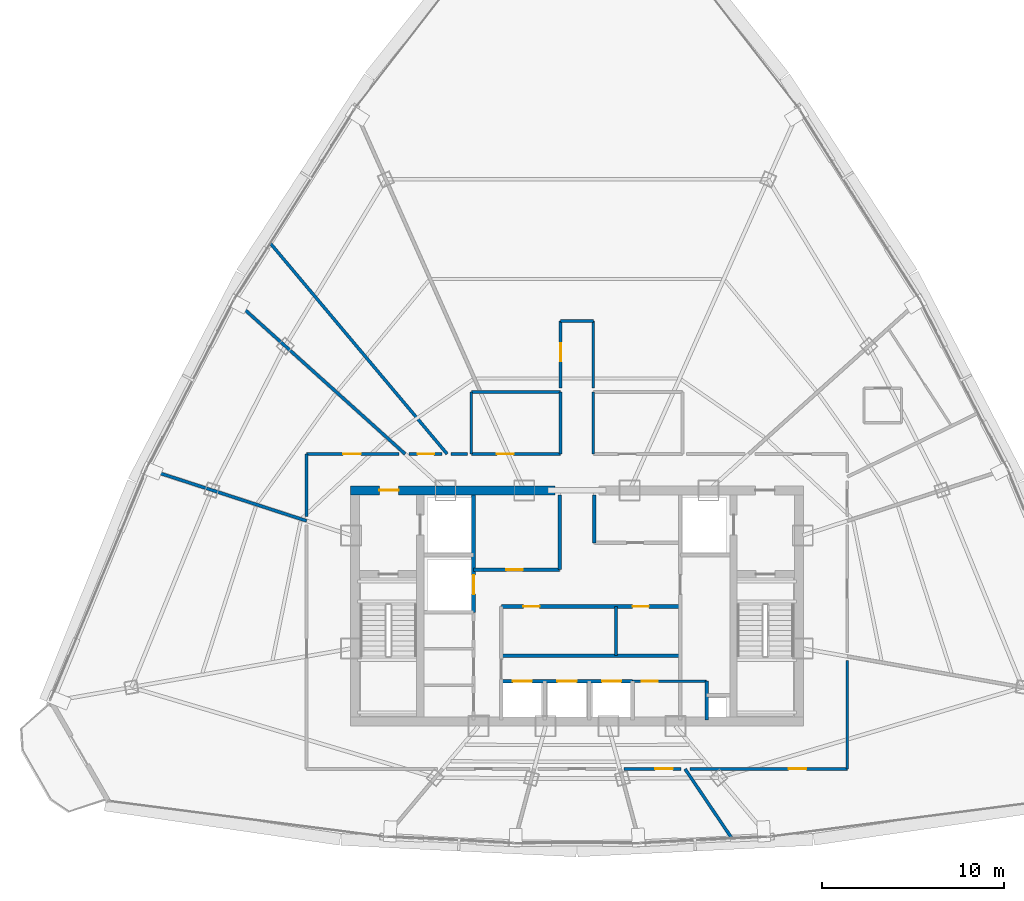
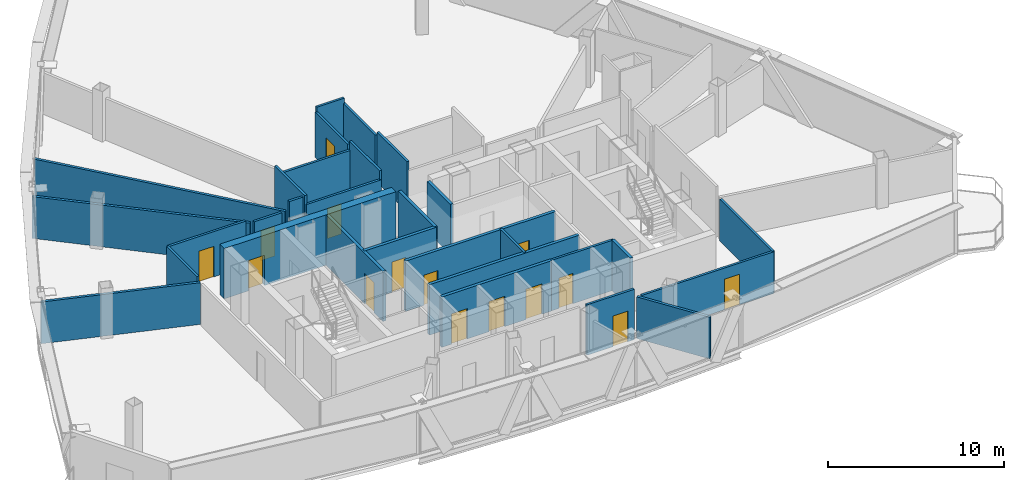
# One storey, part 29 of 34: 30 walls, 15 doors, 15 openings.
"""IFC4 building model written with IfcOpenShell, lengths in metres."""

from ifc_helpers import new_model, si_unit, direction, frame, frame_2d, origin, origin_with_axes, place, context, subcontext, project, spatial, rectangle, extrude, source, transform, mapped, material, layer, layer_set, type_object, element, fill, save


model = new_model("IFC4")

# Units and contexts
model_context = context("Model", 3, precision=1e-05, world=origin(), true_north=direction((0.0, 1.0)))
body_context = subcontext(model_context, "Body", "Model", "MODEL_VIEW")
ifc_project = project(units=[si_unit("LENGTHUNIT", "METRE"), si_unit("AREAUNIT", "SQUARE_METRE"), si_unit("VOLUMEUNIT", "CUBIC_METRE"), si_unit("PLANEANGLEUNIT", "RADIAN"), si_unit("MASSUNIT", "GRAM", prefix="KILO"), si_unit("THERMODYNAMICTEMPERATUREUNIT", "KELVIN"), si_unit("POWERUNIT", "WATT")], contexts=[model_context])

# Site, building, storey
site_placement = place(None, origin())
site = spatial("IfcSite", under=ifc_project, at=site_placement, CompositionType="ELEMENT")
building_placement = place(site_placement, origin())
building = spatial("IfcBuilding", under=site, at=building_placement, Name="Yunzhuo Pagoda Commons", CompositionType="ELEMENT")
storey_placement = place(building_placement, frame((0.0, 0.0, 333.010009765625)))
storey = spatial("IfcBuildingStorey", under=building, at=storey_placement, Name="L83", CompositionType="ELEMENT", Elevation=333.010009765625)

# Wall, opening, door
ifc_material_1 = material(Name="Concrete C50", Category="concrete")
ifc_layer_1 = layer(ifc_material_1, 0.5)
ifc_layer_set_1 = layer_set([ifc_layer_1], Name="Concrete C50")
wall_type_1 = type_object("IfcWallType", Name="W-C03 Upper Core Shear Wall 500", PredefinedType="SHEAR", material=ifc_layer_set_1)
wall_1_placement = place(storey_placement, frame((35.550048828125, 40.199951171875, 0.0), z_axis=(0.0, 0.0, 1.0), x_axis=(1.0, 0.0, 0.0)))
wall_1 = element("IfcWall", 1, at=wall_1_placement, inside=storey, type_object=wall_type_1, Name="L83 core shear wall NW", PredefinedType="SHEAR", context=body_context, shape_type="SweptSolid", body=[
    extrude(rectangle(XDim=11.25, YDim=0.5, at=frame_2d((5.625, 0.0))), origin(), (0.0, 0.0, 1.0), 3.489990234375),
])
opening_1_placement = place(wall_1_placement, frame((1.60009765625, 0.0, 0.0)))
opening_1 = element("IfcOpeningElement", 2, at=opening_1_placement, cuts=wall_1, Name="Opening D-02", PredefinedType="OPENING", context=body_context, shape_type="SweptSolid", body=[
    extrude(rectangle(XDim=1.050048828125, YDim=2.10009765625, at=frame_2d((0.52490234375, 1.050048828125))), frame((0.0, 0.260009765625, 0.0), z_axis=(0.0, -1.0, 0.0), x_axis=(1.0, 0.0, 0.0)), (0.0, 0.0, 1.0), 0.52001953125),
])
ifc_material_2 = material(Name="Galvanized fire-resisting metal leaf")
door_type_1 = type_object("IfcDoorType", Name="D-02 Firefighting Lobby & Refuge Fire Door 1050x2100", OperationType="NOTDEFINED", PredefinedType="DOOR", material=ifc_material_2)
shared_shape_1 = source(origin(), body_context, "Body", "SweptSolid", [
    extrude(rectangle(XDim=1.050048828125, YDim=2.10009765625, at=frame_2d((0.52490234375, 1.050048828125))), frame((0.0, 0.02490234375, 0.0), z_axis=(0.0, -1.0, 0.0), x_axis=(1.0, 0.0, 0.0)), (0.0, 0.0, 1.0), 0.050048828125),
])
door_1_placement = place(opening_1_placement, frame((1.050048828125, 0.0, 0.0), z_axis=(0.0, 0.0, 1.0), x_axis=(-1.0, 0.0, 0.0)))
door_1 = element("IfcDoor", 3, at=door_1_placement, inside=storey, type_object=door_type_1, Name="L83 Firefighting Lobby 1 fire door", OperationType="SINGLE_SWING_LEFT", OverallHeight=2.10009765625, OverallWidth=1.050048828125, PredefinedType="DOOR", context=body_context, shape_type="MappedRepresentation", body=[
    mapped(shared_shape_1, transform((0.0, 0.0, 0.0), scale=1.0)),
])
fill(opening_1, door_1)

# Wall
ifc_material_3 = material(Name="Gypsum plasterboard on acoustic stud")
ifc_layer_2 = layer(ifc_material_3, 0.14990234375)
ifc_layer_set_2 = layer_set([ifc_layer_2], Name="Gypsum plasterboard on acoustic stud")
wall_type_2 = type_object("IfcWallType", Name="W-COR3 High-Zone Rated Corridor Wall 150", PredefinedType="PARTITIONING", material=ifc_layer_set_2)
wall_2_placement = place(storey_placement, frame((50.14990234375, 31.1201171875, 0.0), z_axis=(0.0, 0.0, 1.0), x_axis=(0.0, 1.0, 0.0)))
element("IfcWall", 4, at=wall_2_placement, inside=storey, type_object=wall_type_2, Name="L83 interior wall IW-L83-FRMD", PredefinedType="PARTITIONING", context=body_context, shape_type="SweptSolid", body=[
    extrude(rectangle(XDim=2.699951171875, YDim=0.14990234375, at=frame_2d((1.35009765625, 0.0))), origin(), (0.0, 0.0, 1.0), 3.489990234375),
])

# Wall, opening, door
wall_3_placement = place(storey_placement, frame((51.050048828125, 29.719970703125, 0.0), z_axis=(0.0, 0.0, 1.0), x_axis=(1.0, 0.0, 0.0)))
wall_3 = element("IfcWall", 5, at=wall_3_placement, inside=storey, type_object=wall_type_2, Name="L83 interior wall IW-L83-CSES", PredefinedType="PARTITIONING", context=body_context, shape_type="SweptSolid", body=[
    extrude(rectangle(XDim=4.070068359375, YDim=0.14990234375, at=frame_2d((2.03515625, 0.0))), origin(), (0.0, 0.0, 1.0), 3.489990234375),
])
opening_2_placement = place(wall_3_placement, frame((0.5, 0.0, 0.0)))
opening_2 = element("IfcOpeningElement", 6, at=opening_2_placement, cuts=wall_3, Name="Opening D-03", PredefinedType="OPENING", context=body_context, shape_type="SweptSolid", body=[
    extrude(rectangle(XDim=0.89990234375, YDim=2.10009765625, at=frame_2d((0.449951171875, 1.050048828125))), frame((0.0, 0.0849609375, 0.0), z_axis=(0.0, -1.0, 0.0), x_axis=(1.0, 0.0, 0.0)), (0.0, 0.0, 1.0), 0.169921875),
])
door_type_2 = type_object("IfcDoorType", Name="D-03 Core Service Fire Door 900x2100", OperationType="NOTDEFINED", PredefinedType="DOOR", material=ifc_material_2)
shared_shape_2 = source(origin(), body_context, "Body", "SweptSolid", [
    extrude(rectangle(XDim=0.89990234375, YDim=2.10009765625, at=frame_2d((0.449951171875, 1.050048828125))), frame((0.0, 0.02490234375, 0.0), z_axis=(0.0, -1.0, 0.0), x_axis=(1.0, 0.0, 0.0)), (0.0, 0.0, 1.0), 0.050048828125),
])
door_2_placement = place(opening_2_placement, origin_with_axes())
door_2 = element("IfcDoor", 7, at=door_2_placement, inside=storey, type_object=door_type_2, Name="L83 core pantry door", OperationType="SINGLE_SWING_RIGHT", OverallHeight=2.10009765625, OverallWidth=0.89990234375, PredefinedType="DOOR", context=body_context, shape_type="MappedRepresentation", body=[
    mapped(shared_shape_2, transform((0.0, 0.0, 0.0), scale=1.0)),
])
fill(opening_2, door_2)

wall_4_placement = place(storey_placement, frame((42.199951171875, 42.199951171875, 0.0), z_axis=(0.0, 0.0, 1.0), x_axis=(1.0, 0.0, 0.0)))
wall_4 = element("IfcWall", 8, at=wall_4_placement, inside=storey, type_object=wall_type_2, Name="L83 interior wall IW-L83-TFWS", PredefinedType="PARTITIONING", context=body_context, shape_type="SweptSolid", body=[
    extrude(rectangle(XDim=4.900146484375, YDim=0.14990234375, at=frame_2d((2.4501953125, 0.0))), origin(), (0.0, 0.0, 1.0), 2.889892578125),
])
opening_3_placement = place(wall_4_placement, frame((1.39990234375, 0.0, 0.0)))
opening_3 = element("IfcOpeningElement", 9, at=opening_3_placement, cuts=wall_4, Name="Opening D-04", PredefinedType="OPENING", context=body_context, shape_type="SweptSolid", body=[
    extrude(rectangle(XDim=0.919921875, YDim=2.10009765625, at=frame_2d((0.4599609375, 1.050048828125))), frame((0.0, 0.0849609375, 0.0), z_axis=(0.0, -1.0, 0.0), x_axis=(1.0, 0.0, 0.0)), (0.0, 0.0, 1.0), 0.169921875),
])
ifc_material_4 = material(Name="Powder-coated aluminium and timber acoustic leaf", Category="wood")
door_type_3 = type_object("IfcDoorType", Name="D-04 Bedroom & Study Interior Door 920x2100", OperationType="NOTDEFINED", PredefinedType="DOOR", material=ifc_material_4)
shared_shape_3 = source(origin(), body_context, "Body", "SweptSolid", [
    extrude(rectangle(XDim=0.919921875, YDim=2.10009765625, at=frame_2d((0.4599609375, 1.050048828125))), frame((0.0, 0.02490234375, 0.0), z_axis=(0.0, -1.0, 0.0), x_axis=(1.0, 0.0, 0.0)), (0.0, 0.0, 1.0), 0.050048828125),
])
door_3_placement = place(opening_3_placement, frame((0.919921875, 0.0, 0.0), z_axis=(0.0, 0.0, 1.0), x_axis=(-1.0, 0.0, 0.0)))
door_3 = element("IfcDoor", 10, at=door_3_placement, inside=storey, type_object=door_type_3, Name="L83 laundry door", OperationType="SINGLE_SWING_LEFT", OverallHeight=2.10009765625, OverallWidth=0.919921875, PredefinedType="DOOR", context=body_context, shape_type="MappedRepresentation", body=[
    mapped(shared_shape_3, transform((0.0, 0.0, 0.0), scale=1.0)),
])
fill(opening_3, door_3)

# Walls
wall_5_placement = place(storey_placement, frame((42.199951171875, 45.60009765625, 0.0), z_axis=(0.0, 0.0, 1.0), x_axis=(1.0, 0.0, 0.0)))
element("IfcWall", 11, at=wall_5_placement, inside=storey, type_object=wall_type_2, Name="L83 interior wall IW-L83-TFWN", PredefinedType="PARTITIONING", context=body_context, shape_type="SweptSolid", body=[
    extrude(rectangle(XDim=4.900146484375, YDim=0.14990234375, at=frame_2d((2.4501953125, 0.0))), origin(), (0.0, 0.0, 1.0), 2.889892578125),
])
for number, where, z_axis, x_axis, name in (
    (12, (42.199951171875, 42.199951171875, 0.0), (0.0, 0.0, 1.0), (0.0, 1.0, 0.0), "L83 interior wall IW-L83-TFWW"),
    (13, (47.10009765625, 42.199951171875, 0.0), (0.0, 0.0, 1.0), (0.0, 1.0, 0.0), "L83 interior wall IW-L83-TFWE"),
    (14, (48.89990234375, 42.199951171875, 0.0), (0.0, 0.0, 1.0), (0.0, 1.0, 0.0), "L83 interior wall IW-L83-TFEW"),
):
    element("IfcWall", number, at=place(storey_placement, frame(where, z_axis=z_axis, x_axis=x_axis)), inside=storey, type_object=wall_type_2, Name=name, PredefinedType="PARTITIONING", context=body_context, shape_type="SweptSolid", body=[
        extrude(rectangle(XDim=3.400146484375, YDim=0.14990234375, at=frame_2d((1.7001953125, 0.0))), origin(), (0.0, 0.0, 1.0), 3.489990234375),
    ])
wall_6_placement = place(storey_placement, frame((33.14990234375, 38.75634765625, 0.0), z_axis=(0.0, 0.0, 1.0), x_axis=(0.0, 1.0, 0.0)))
element("IfcWall", 15, at=wall_6_placement, inside=storey, type_object=wall_type_2, Name="L83 interior wall IW-L83-CWL02", PredefinedType="PARTITIONING", context=body_context, shape_type="SweptSolid", body=[
    extrude(rectangle(XDim=3.443603515625, YDim=0.14990234375, at=frame_2d((1.7216796875, 0.0))), origin(), (0.0, 0.0, 1.0), 3.139892578125),
])

# Wall, opening, door
wall_7_placement = place(storey_placement, frame((33.14990234375, 42.199951171875, 0.0), z_axis=(0.0, 0.0, 1.0), x_axis=(1.0, 0.0, 0.0)))
wall_7 = element("IfcWall", 16, at=wall_7_placement, inside=storey, type_object=wall_type_2, Name="L83 interior wall IW-L83-CWL03", PredefinedType="PARTITIONING", context=body_context, shape_type="SweptSolid", body=[
    extrude(rectangle(XDim=5.0810546875, YDim=0.14990234375, at=frame_2d((2.54052734375, 0.0))), origin(), (0.0, 0.0, 1.0), 3.139892578125),
])
opening_4_placement = place(wall_7_placement, frame((2.0, 0.0, 0.0)))
opening_4 = element("IfcOpeningElement", 17, at=opening_4_placement, cuts=wall_7, Name="Opening D-08", PredefinedType="OPENING", context=body_context, shape_type="SweptSolid", body=[
    extrude(rectangle(XDim=0.97998046875, YDim=2.1201171875, at=frame_2d((0.489990234375, 1.06005859375))), frame((0.0, 0.0849609375, 0.0), z_axis=(0.0, -1.0, 0.0), x_axis=(1.0, 0.0, 0.0)), (0.0, 0.0, 1.0), 0.169921875),
])
door_type_4 = type_object("IfcDoorType", Name="D-08 High-Zone Suite Entrance Fire Door 980x2120", OperationType="NOTDEFINED", PredefinedType="DOOR", material=ifc_material_2)
shared_shape_4 = source(origin(), body_context, "Body", "SweptSolid", [
    extrude(rectangle(XDim=0.97998046875, YDim=2.1201171875, at=frame_2d((0.489990234375, 1.06005859375))), frame((0.0, 0.02490234375, 0.0), z_axis=(0.0, -1.0, 0.0), x_axis=(1.0, 0.0, 0.0)), (0.0, 0.0, 1.0), 0.050048828125),
])
door_4_placement = place(opening_4_placement, origin_with_axes())
door_4 = element("IfcDoor", 18, at=door_4_placement, inside=storey, type_object=door_type_4, Name="L83 unit 07 entrance door", OperationType="SINGLE_SWING_LEFT", OverallHeight=2.1201171875, OverallWidth=0.97998046875, PredefinedType="DOOR", context=body_context, shape_type="MappedRepresentation", body=[
    mapped(shared_shape_4, transform((0.0, 0.0, 0.0), scale=1.0)),
])
fill(opening_4, door_4)

wall_8_placement = place(storey_placement, frame((38.779541015625, 42.199951171875, 0.0), z_axis=(0.0, 0.0, 1.0), x_axis=(1.0, 0.0, 0.0)))
wall_8 = element("IfcWall", 19, at=wall_8_placement, inside=storey, type_object=wall_type_2, Name="L83 interior wall IW-L83-CWL04", PredefinedType="PARTITIONING", context=body_context, shape_type="SweptSolid", body=[
    extrude(rectangle(XDim=1.801025390625, YDim=0.14990234375, at=frame_2d((0.900390625, 0.0))), origin(), (0.0, 0.0, 1.0), 2.889892578125),
])
opening_5_placement = place(wall_8_placement, frame((0.474365234375, 0.0, 0.0)))
opening_5 = element("IfcOpeningElement", 20, at=opening_5_placement, cuts=wall_8, Name="Opening D-12", PredefinedType="OPENING", context=body_context, shape_type="SweptSolid", body=[
    extrude(rectangle(XDim=0.89990234375, YDim=2.080078125, at=frame_2d((0.449951171875, 1.0400390625))), frame((0.0, 0.0849609375, 0.0), z_axis=(0.0, -1.0, 0.0), x_axis=(1.0, 0.0, 0.0)), (0.0, 0.0, 1.0), 0.169921875),
])
door_type_5 = type_object("IfcDoorType", Name="D-12 Quiet Study Interior Door 900x2080", OperationType="NOTDEFINED", PredefinedType="DOOR", material=ifc_material_4)
shared_shape_5 = source(origin(), body_context, "Body", "SweptSolid", [
    extrude(rectangle(XDim=0.89990234375, YDim=2.080078125, at=frame_2d((0.449951171875, 1.0400390625))), frame((0.0, 0.02490234375, 0.0), z_axis=(0.0, -1.0, 0.0), x_axis=(1.0, 0.0, 0.0)), (0.0, 0.0, 1.0), 0.050048828125),
])
door_5_placement = place(opening_5_placement, origin_with_axes())
door_5 = element("IfcDoor", 21, at=door_5_placement, inside=storey, type_object=door_type_5, Name="L83 study lounge 06 door", OperationType="SINGLE_SWING_RIGHT", OverallHeight=2.080078125, OverallWidth=0.89990234375, PredefinedType="DOOR", context=body_context, shape_type="MappedRepresentation", body=[
    mapped(shared_shape_5, transform((0.0, 0.0, 0.0), scale=1.0)),
])
fill(opening_5, door_5)

# Wall
wall_9_placement = place(storey_placement, frame((41.087646484375, 42.199951171875, 0.0), z_axis=(0.0, 0.0, 1.0), x_axis=(1.0, 0.0, 0.0)))
element("IfcWall", 22, at=wall_9_placement, inside=storey, type_object=wall_type_2, Name="L83 interior wall IW-L83-CWL05", PredefinedType="PARTITIONING", context=body_context, shape_type="SweptSolid", body=[
    extrude(rectangle(XDim=0.892333984375, YDim=0.14990234375, at=frame_2d((0.4462890625, 0.0))), origin(), (0.0, 0.0, 1.0), 3.489990234375),
])

# Wall, opening, door
wall_10_placement = place(storey_placement, frame((47.10009765625, 45.820068359375, 0.0), z_axis=(0.0, 0.0, 1.0), x_axis=(0.0, 1.0, 0.0)))
wall_10 = element("IfcWall", 23, at=wall_10_placement, inside=storey, type_object=wall_type_2, Name="L83 interior wall IW-L83-CWL06", PredefinedType="PARTITIONING", context=body_context, shape_type="SweptSolid", body=[
    extrude(rectangle(XDim=3.679931640625, YDim=0.14990234375, at=frame_2d((1.83984375, 0.0))), origin(), (0.0, 0.0, 1.0), 3.139892578125),
])
opening_6_placement = place(wall_10_placement, frame((1.485107421875, 0.0, 0.0)))
opening_6 = element("IfcOpeningElement", 24, at=opening_6_placement, cuts=wall_10, Name="Opening D-08", PredefinedType="OPENING", context=body_context, shape_type="SweptSolid", body=[
    extrude(rectangle(XDim=0.97998046875, YDim=2.1201171875, at=frame_2d((0.489990234375, 1.06005859375))), frame((0.0, 0.0849609375, 0.0), z_axis=(0.0, -1.0, 0.0), x_axis=(1.0, 0.0, 0.0)), (0.0, 0.0, 1.0), 0.169921875),
])
door_6_placement = place(opening_6_placement, origin_with_axes())
door_6 = element("IfcDoor", 25, at=door_6_placement, inside=storey, type_object=door_type_4, Name="L83 Shared Resident Kitchen and Pantry door", OperationType="SINGLE_SWING_RIGHT", OverallHeight=2.1201171875, OverallWidth=0.97998046875, PredefinedType="DOOR", context=body_context, shape_type="MappedRepresentation", body=[
    mapped(shared_shape_4, transform((0.0, 0.0, 0.0), scale=1.0)),
])
fill(opening_6, door_6)

# Walls
wall_11_placement = place(storey_placement, frame((47.10009765625, 49.5, 0.0), z_axis=(0.0, 0.0, 1.0), x_axis=(1.0, 0.0, 0.0)))
element("IfcWall", 26, at=wall_11_placement, inside=storey, type_object=wall_type_2, Name="L83 interior wall IW-L83-CWL07", PredefinedType="PARTITIONING", context=body_context, shape_type="SweptSolid", body=[
    extrude(rectangle(XDim=1.7998046875, YDim=0.14990234375, at=frame_2d((0.89990234375, 0.0))), origin(), (0.0, 0.0, 1.0), 3.489990234375),
])
wall_12_placement = place(storey_placement, frame((48.89990234375, 49.5, 0.0), z_axis=(0.0, 0.0, 1.0), x_axis=(0.0, -1.0, 0.0)))
element("IfcWall", 27, at=wall_12_placement, inside=storey, type_object=wall_type_2, Name="L83 interior wall IW-L83-CWL08", PredefinedType="PARTITIONING", context=body_context, shape_type="SweptSolid", body=[
    extrude(rectangle(XDim=3.679931640625, YDim=0.14990234375, at=frame_2d((1.83984375, 0.0))), origin(), (0.0, 0.0, 1.0), 3.139892578125),
])
wall_13_placement = place(storey_placement, frame((62.85009765625, 30.858154296875, 0.0), z_axis=(0.0, 0.0, 1.0), x_axis=(0.0, -1.0, 0.0)))
element("IfcWall", 28, at=wall_13_placement, inside=storey, type_object=wall_type_2, Name="L83 interior wall IW-L83-CWL14", PredefinedType="PARTITIONING", context=body_context, shape_type="SweptSolid", body=[
    extrude(rectangle(XDim=5.958251953125, YDim=0.14990234375, at=frame_2d((2.97900390625, 0.0))), origin(), (0.0, 0.0, 1.0), 2.889892578125),
])

# Wall, opening, door
wall_14_placement = place(storey_placement, frame((62.85009765625, 24.89990234375, 0.0), z_axis=(0.0, 0.0, 1.0), x_axis=(-1.0, 0.0, 0.0)))
wall_14 = element("IfcWall", 29, at=wall_14_placement, inside=storey, type_object=wall_type_2, Name="L83 interior wall IW-L83-CWL15", PredefinedType="PARTITIONING", context=body_context, shape_type="SweptSolid", body=[
    extrude(rectangle(XDim=8.64892578125, YDim=0.14990234375, at=frame_2d((4.324462890625, 0.0))), origin(), (0.0, 0.0, 1.0), 2.889892578125),
])
opening_7_placement = place(wall_14_placement, frame((2.250244140625, 0.0, 0.0)))
opening_7 = element("IfcOpeningElement", 30, at=opening_7_placement, cuts=wall_14, Name="Opening D-08", PredefinedType="OPENING", context=body_context, shape_type="SweptSolid", body=[
    extrude(rectangle(XDim=0.97998046875, YDim=2.1201171875, at=frame_2d((0.489990234375, 1.06005859375))), frame((0.0, 0.0849609375, 0.0), z_axis=(0.0, -1.0, 0.0), x_axis=(1.0, 0.0, 0.0)), (0.0, 0.0, 1.0), 0.169921875),
])
door_7_placement = place(opening_7_placement, origin_with_axes())
door_7 = element("IfcDoor", 31, at=door_7_placement, inside=storey, type_object=door_type_4, Name="L83 Academic Reading Commons 2 door", OperationType="SINGLE_SWING_RIGHT", OverallHeight=2.1201171875, OverallWidth=0.97998046875, PredefinedType="DOOR", context=body_context, shape_type="MappedRepresentation", body=[
    mapped(shared_shape_4, transform((0.0, 0.0, 0.0), scale=1.0)),
])
fill(opening_7, door_7)

wall_15_placement = place(storey_placement, frame((53.7158203125, 24.89990234375, 0.0), z_axis=(0.0, 0.0, 1.0), x_axis=(-1.0, 0.0, 0.0)))
wall_15 = element("IfcWall", 32, at=wall_15_placement, inside=storey, type_object=wall_type_2, Name="L83 interior wall IW-L83-CWL16", PredefinedType="PARTITIONING", context=body_context, shape_type="SweptSolid", body=[
    extrude(rectangle(XDim=3.130126953125, YDim=0.14990234375, at=frame_2d((1.56494140625, 0.0))), origin(), (0.0, 0.0, 1.0), 3.489990234375),
])
opening_8_placement = place(wall_15_placement, frame((0.449462890625, 0.0, 0.0)))
opening_8 = element("IfcOpeningElement", 33, at=opening_8_placement, cuts=wall_15, Name="Opening D-08", PredefinedType="OPENING", context=body_context, shape_type="SweptSolid", body=[
    extrude(rectangle(XDim=0.97998046875, YDim=2.1201171875, at=frame_2d((0.489990234375, 1.06005859375))), frame((0.0, 0.0849609375, 0.0), z_axis=(0.0, -1.0, 0.0), x_axis=(1.0, 0.0, 0.0)), (0.0, 0.0, 1.0), 0.169921875),
])
door_8_placement = place(opening_8_placement, origin_with_axes())
door_8 = element("IfcDoor", 34, at=door_8_placement, inside=storey, type_object=door_type_4, Name="L83 unit 11 entrance door", OperationType="SINGLE_SWING_LEFT", OverallHeight=2.1201171875, OverallWidth=0.97998046875, PredefinedType="DOOR", context=body_context, shape_type="MappedRepresentation", body=[
    mapped(shared_shape_4, transform((0.0, 0.0, 0.0), scale=1.0)),
])
fill(opening_8, door_8)

# Walls
ifc_layer_3 = layer(ifc_material_3, 0.169921875)
ifc_layer_set_3 = layer_set([ifc_layer_3], Name="Gypsum plasterboard on acoustic stud")
wall_type_3 = type_object("IfcWallType", Name="W-PRT4 High-Zone Demising Wall 170", PredefinedType="PARTITIONING", material=ifc_layer_set_3)
wall_16_placement = place(storey_placement, frame((40.86767578125, 42.199951171875, 0.0), z_axis=(0.0, 0.0, 1.0), x_axis=(-0.642782037032, 0.766049119096, 0.0)))
element("IfcWall", 35, at=wall_16_placement, inside=storey, type_object=wall_type_3, Name="L83 interior wall IW-L83-RAD05", PredefinedType="PARTITIONING", context=body_context, shape_type="SweptSolid", body=[
    extrude(rectangle(XDim=15.1396484375, YDim=0.169921875, at=frame_2d((7.56982421875, 0.0))), origin(), (0.0, 0.0, 1.0), 2.889892578125),
])
wall_17_placement = place(storey_placement, frame((38.559814453125, 42.199951171875, 0.0), z_axis=(0.0, 0.0, 1.0), x_axis=(-0.743143506998, 0.669132070675, 0.0)))
element("IfcWall", 36, at=wall_17_placement, inside=storey, type_object=wall_type_3, Name="L83 interior wall IW-L83-RAD06", PredefinedType="PARTITIONING", context=body_context, shape_type="SweptSolid", body=[
    extrude(rectangle(XDim=12.65380859375, YDim=0.169921875, at=frame_2d((6.326904296875, 0.0))), origin(), (0.0, 0.0, 1.0), 2.889892578125),
])
wall_18_placement = place(storey_placement, frame((33.14990234375, 38.525146484375, 0.0), z_axis=(0.0, 0.0, 1.0), x_axis=(-0.951054035025, 0.309024630836, 0.0)))
element("IfcWall", 37, at=wall_18_placement, inside=storey, type_object=wall_type_3, Name="L83 interior wall IW-L83-RAD07", PredefinedType="PARTITIONING", context=body_context, shape_type="SweptSolid", body=[
    extrude(rectangle(XDim=9.25439453125, YDim=0.169921875, at=frame_2d((4.627197265625, 0.0))), origin(), (0.0, 0.0, 1.0), 2.889892578125),
])
wall_19_placement = place(storey_placement, frame((53.935791015625, 24.89990234375, 0.0), z_axis=(0.0, 0.0, 1.0), x_axis=(0.559204176839, -0.829029968461, 0.0)))
element("IfcWall", 38, at=wall_19_placement, inside=storey, type_object=wall_type_3, Name="L83 interior wall IW-L83-RAD11", PredefinedType="PARTITIONING", context=body_context, shape_type="SweptSolid", body=[
    extrude(rectangle(XDim=4.619873046875, YDim=0.169921875, at=frame_2d((2.31005859375, 0.0))), origin(), (0.0, 0.0, 1.0), 2.889892578125),
])

# Wall, opening, door
ifc_material_5 = material(Name="Concrete C40", Category="concrete")
ifc_layer_4 = layer(ifc_material_5, 0.199951171875)
ifc_layer_set_4 = layer_set([ifc_layer_4], Name="Concrete C40")
wall_type_4 = type_object("IfcWallType", Name="W-SHF Shaft & Stair Enclosure Wall 200", PredefinedType="SOLIDWALL", material=ifc_layer_set_4)
wall_20_placement = place(storey_placement, frame((42.320068359375, 33.5, 0.0), z_axis=(0.0, 0.0, 1.0), x_axis=(0.0, 1.0, 0.0)))
wall_20 = element("IfcWall", 39, at=wall_20_placement, inside=storey, type_object=wall_type_4, Name="L83 interior wall IW-L83-FL1E", PredefinedType="SOLIDWALL", context=body_context, shape_type="SweptSolid", body=[
    extrude(rectangle(XDim=6.449951171875, YDim=0.199951171875, at=frame_2d((3.22509765625, 0.0))), origin(), (0.0, 0.0, 1.0), 3.489990234375),
])
opening_9_placement = place(wall_20_placement, frame((1.0, 0.0, 0.0)))
opening_9 = element("IfcOpeningElement", 40, at=opening_9_placement, cuts=wall_20, Name="Opening LD-02", PredefinedType="OPENING", context=body_context, shape_type="SweptSolid", body=[
    extrude(rectangle(XDim=1.050048828125, YDim=2.10009765625, at=frame_2d((0.52490234375, 1.050048828125))), frame((0.0, 0.10986328125, 0.0), z_axis=(0.0, -1.0, 0.0), x_axis=(1.0, 0.0, 0.0)), (0.0, 0.0, 1.0), 0.219970703125),
])
door_type_6 = type_object("IfcDoorType", Name="LD-02 Passenger Lift Landing Door 1050x2100", OperationType="DOUBLE_DOOR_SLIDING", PredefinedType="DOOR", material=ifc_material_2)
door_9_placement = place(opening_9_placement, origin_with_axes())
door_9 = element("IfcDoor", 41, at=door_9_placement, inside=storey, type_object=door_type_6, Name="L83 Service lift SL-1 landing door", OperationType="DOUBLE_DOOR_SLIDING", OverallHeight=2.10009765625, OverallWidth=1.050048828125, PredefinedType="DOOR", context=body_context, shape_type="MappedRepresentation", body=[
    mapped(shared_shape_1, transform((0.0, 0.0, 0.0), scale=1.0)),
])
fill(opening_9, door_9)

wall_21_placement = place(storey_placement, frame((42.320068359375, 35.85009765625, 0.0), z_axis=(0.0, 0.0, 1.0), x_axis=(1.0, 0.0, 0.0)))
wall_21 = element("IfcWall", 42, at=wall_21_placement, inside=storey, type_object=wall_type_4, Name="L83 interior wall IW-L83-LBNW", PredefinedType="SOLIDWALL", context=body_context, shape_type="SweptSolid", body=[
    extrude(rectangle(XDim=4.72998046875, YDim=0.199951171875, at=frame_2d((2.364990234375, 0.0))), origin(), (0.0, 0.0, 1.0), 3.489990234375),
])
opening_10_placement = place(wall_21_placement, frame((1.800048828125, 0.0, 0.0)))
opening_10 = element("IfcOpeningElement", 43, at=opening_10_placement, cuts=wall_21, Name="Opening D-03", PredefinedType="OPENING", context=body_context, shape_type="SweptSolid", body=[
    extrude(rectangle(XDim=0.89990234375, YDim=2.10009765625, at=frame_2d((0.449951171875, 1.050048828125))), frame((0.0, 0.10986328125, 0.0), z_axis=(0.0, -1.0, 0.0), x_axis=(1.0, 0.0, 0.0)), (0.0, 0.0, 1.0), 0.219970703125),
])
door_10_placement = place(opening_10_placement, frame((0.89990234375, 0.0, 0.0), z_axis=(0.0, 0.0, 1.0), x_axis=(-1.0, 0.0, 0.0)))
door_10 = element("IfcDoor", 44, at=door_10_placement, inside=storey, type_object=door_type_2, Name="L83 core west store door", OperationType="SINGLE_SWING_LEFT", OverallHeight=2.10009765625, OverallWidth=0.89990234375, PredefinedType="DOOR", context=body_context, shape_type="MappedRepresentation", body=[
    mapped(shared_shape_2, transform((0.0, 0.0, 0.0), scale=1.0)),
])
fill(opening_10, door_10)

# Walls
wall_22_placement = place(storey_placement, frame((47.050048828125, 35.85009765625, 0.0), z_axis=(0.0, 0.0, 1.0), x_axis=(0.0, 1.0, 0.0)))
element("IfcWall", 45, at=wall_22_placement, inside=storey, type_object=wall_type_4, Name="L83 interior wall IW-L83-THRW", PredefinedType="SOLIDWALL", context=body_context, shape_type="SweptSolid", body=[
    extrude(rectangle(XDim=4.099853515625, YDim=0.199951171875, at=frame_2d((2.0498046875, 0.0))), origin(), (0.0, 0.0, 1.0), 3.489990234375),
])
wall_23_placement = place(storey_placement, frame((48.949951171875, 37.320068359375, 0.0), z_axis=(0.0, 0.0, 1.0), x_axis=(0.0, 1.0, 0.0)))
element("IfcWall", 46, at=wall_23_placement, inside=storey, type_object=wall_type_4, Name="L83 interior wall IW-L83-THRE", PredefinedType="SOLIDWALL", context=body_context, shape_type="SweptSolid", body=[
    extrude(rectangle(XDim=2.6298828125, YDim=0.199951171875, at=frame_2d((1.31494140625, 0.0))), origin(), (0.0, 0.0, 1.0), 3.489990234375),
])

# Wall, openings, doors
wall_24_placement = place(storey_placement, frame((43.85009765625, 33.820068359375, 0.0), z_axis=(0.0, 0.0, 1.0), x_axis=(1.0, 0.0, 0.0)))
wall_24 = element("IfcWall", 47, at=wall_24_placement, inside=storey, type_object=wall_type_4, Name="L83 interior wall IW-L83-MLBS", PredefinedType="SOLIDWALL", context=body_context, shape_type="SweptSolid", body=[
    extrude(rectangle(XDim=9.829833984375, YDim=0.199951171875, at=frame_2d((4.9150390625, 0.0))), origin(), (0.0, 0.0, 1.0), 3.489990234375),
])
opening_11_placement = place(wall_24_placement, frame((1.199951171875, 0.0, 0.0)))
opening_11 = element("IfcOpeningElement", 48, at=opening_11_placement, cuts=wall_24, Name="Opening D-03", PredefinedType="OPENING", context=body_context, shape_type="SweptSolid", body=[
    extrude(rectangle(XDim=0.89990234375, YDim=2.10009765625, at=frame_2d((0.449951171875, 1.050048828125))), frame((0.0, 0.10986328125, 0.0), z_axis=(0.0, -1.0, 0.0), x_axis=(1.0, 0.0, 0.0)), (0.0, 0.0, 1.0), 0.219970703125),
])
opening_12_placement = place(wall_24_placement, frame((7.199951171875, 0.0, 0.0)))
opening_12 = element("IfcOpeningElement", 49, at=opening_12_placement, cuts=wall_24, Name="Opening D-03", PredefinedType="OPENING", context=body_context, shape_type="SweptSolid", body=[
    extrude(rectangle(XDim=0.89990234375, YDim=2.10009765625, at=frame_2d((0.449951171875, 1.050048828125))), frame((0.0, 0.10986328125, 0.0), z_axis=(0.0, -1.0, 0.0), x_axis=(1.0, 0.0, 0.0)), (0.0, 0.0, 1.0), 0.219970703125),
])
door_11_placement = place(opening_11_placement, origin_with_axes())
door_11 = element("IfcDoor", 50, at=door_11_placement, inside=storey, type_object=door_type_2, Name="L83 core mid-west store door", OperationType="SINGLE_SWING_LEFT", OverallHeight=2.10009765625, OverallWidth=0.89990234375, PredefinedType="DOOR", context=body_context, shape_type="MappedRepresentation", body=[
    mapped(shared_shape_2, transform((0.0, 0.0, 0.0), scale=1.0)),
])
fill(opening_11, door_11)
door_12_placement = place(opening_12_placement, origin_with_axes())
door_12 = element("IfcDoor", 51, at=door_12_placement, inside=storey, type_object=door_type_2, Name="L83 core mid-east store door", OperationType="SINGLE_SWING_RIGHT", OverallHeight=2.10009765625, OverallWidth=0.89990234375, PredefinedType="DOOR", context=body_context, shape_type="MappedRepresentation", body=[
    mapped(shared_shape_2, transform((0.0, 0.0, 0.0), scale=1.0)),
])
fill(opening_12, door_12)

wall_25_placement = place(storey_placement, frame((43.85009765625, 29.719970703125, 0.0), z_axis=(0.0, 0.0, 1.0), x_axis=(1.0, 0.0, 0.0)))
wall_25 = element("IfcWall", 52, at=wall_25_placement, inside=storey, type_object=wall_type_4, Name="L83 interior wall IW-L83-PLHN", PredefinedType="SOLIDWALL", context=body_context, shape_type="SweptSolid", body=[
    extrude(rectangle(XDim=7.199951171875, YDim=0.199951171875, at=frame_2d((3.60009765625, 0.0))), origin(), (0.0, 0.0, 1.0), 3.489990234375),
])
opening_13_placement = place(wall_25_placement, frame((0.625, 0.0, 0.0)))
opening_13 = element("IfcOpeningElement", 53, at=opening_13_placement, cuts=wall_25, Name="Opening LD-02", PredefinedType="OPENING", context=body_context, shape_type="SweptSolid", body=[
    extrude(rectangle(XDim=1.050048828125, YDim=2.10009765625, at=frame_2d((0.52490234375, 1.050048828125))), frame((0.0, 0.10986328125, 0.0), z_axis=(0.0, -1.0, 0.0), x_axis=(1.0, 0.0, 0.0)), (0.0, 0.0, 1.0), 0.219970703125),
])
opening_14_placement = place(wall_25_placement, frame((3.074951171875, 0.0, 0.0)))
opening_14 = element("IfcOpeningElement", 54, at=opening_14_placement, cuts=wall_25, Name="Opening LD-02", PredefinedType="OPENING", context=body_context, shape_type="SweptSolid", body=[
    extrude(rectangle(XDim=1.050048828125, YDim=2.10009765625, at=frame_2d((0.52490234375, 1.050048828125))), frame((0.0, 0.10986328125, 0.0), z_axis=(0.0, -1.0, 0.0), x_axis=(1.0, 0.0, 0.0)), (0.0, 0.0, 1.0), 0.219970703125),
])
opening_15_placement = place(wall_25_placement, frame((5.52490234375, 0.0, 0.0)))
opening_15 = element("IfcOpeningElement", 55, at=opening_15_placement, cuts=wall_25, Name="Opening LD-02", PredefinedType="OPENING", context=body_context, shape_type="SweptSolid", body=[
    extrude(rectangle(XDim=1.050048828125, YDim=2.10009765625, at=frame_2d((0.52490234375, 1.050048828125))), frame((0.0, 0.10986328125, 0.0), z_axis=(0.0, -1.0, 0.0), x_axis=(1.0, 0.0, 0.0)), (0.0, 0.0, 1.0), 0.219970703125),
])
door_13_placement = place(opening_13_placement, origin_with_axes())
door_13 = element("IfcDoor", 56, at=door_13_placement, inside=storey, type_object=door_type_6, Name="L83 Passenger lift PL-H1 landing door", OperationType="DOUBLE_DOOR_SLIDING", OverallHeight=2.10009765625, OverallWidth=1.050048828125, PredefinedType="DOOR", context=body_context, shape_type="MappedRepresentation", body=[
    mapped(shared_shape_1, transform((0.0, 0.0, 0.0), scale=1.0)),
])
fill(opening_13, door_13)
door_14_placement = place(opening_14_placement, origin_with_axes())
door_14 = element("IfcDoor", 57, at=door_14_placement, inside=storey, type_object=door_type_6, Name="L83 Passenger lift PL-H2 landing door", OperationType="DOUBLE_DOOR_SLIDING", OverallHeight=2.10009765625, OverallWidth=1.050048828125, PredefinedType="DOOR", context=body_context, shape_type="MappedRepresentation", body=[
    mapped(shared_shape_1, transform((0.0, 0.0, 0.0), scale=1.0)),
])
fill(opening_14, door_14)
door_15_placement = place(opening_15_placement, origin_with_axes())
door_15 = element("IfcDoor", 58, at=door_15_placement, inside=storey, type_object=door_type_6, Name="L83 Passenger lift PL-H3 landing door", OperationType="DOUBLE_DOOR_SLIDING", OverallHeight=2.10009765625, OverallWidth=1.050048828125, PredefinedType="DOOR", context=body_context, shape_type="MappedRepresentation", body=[
    mapped(shared_shape_1, transform((0.0, 0.0, 0.0), scale=1.0)),
])
fill(opening_15, door_15)

# Walls
wall_26_placement = place(storey_placement, frame((43.85009765625, 31.1201171875, 0.0), z_axis=(0.0, 0.0, 1.0), x_axis=(1.0, 0.0, 0.0)))
element("IfcWall", 59, at=wall_26_placement, inside=storey, type_object=wall_type_4, Name="L83 interior wall IW-L83-PLMS2", PredefinedType="SOLIDWALL", context=body_context, shape_type="SweptSolid", body=[
    extrude(rectangle(XDim=9.829833984375, YDim=0.199951171875, at=frame_2d((4.9150390625, 0.0))), origin(), (0.0, 0.0, 1.0), 3.489990234375),
])
wall_27_placement = place(storey_placement, frame((55.1201171875, 27.60009765625, 0.0), z_axis=(0.0, 0.0, 1.0), x_axis=(0.0, 1.0, 0.0)))
element("IfcWall", 60, at=wall_27_placement, inside=storey, type_object=wall_type_4, Name="L83 interior wall IW-L83-RSHFW", PredefinedType="SOLIDWALL", context=body_context, shape_type="SweptSolid", body=[
    extrude(rectangle(XDim=2.119873046875, YDim=0.199951171875, at=frame_2d((1.06005859375, 0.0))), origin(), (0.0, 0.0, 1.0), 3.489990234375),
])

save(model, "model.ifc")
